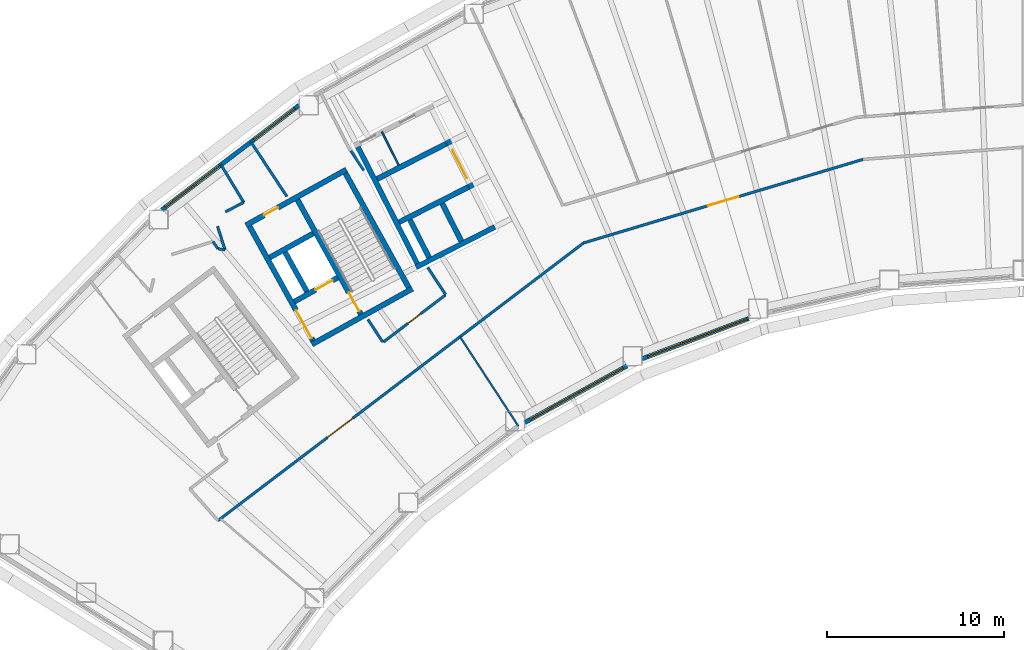
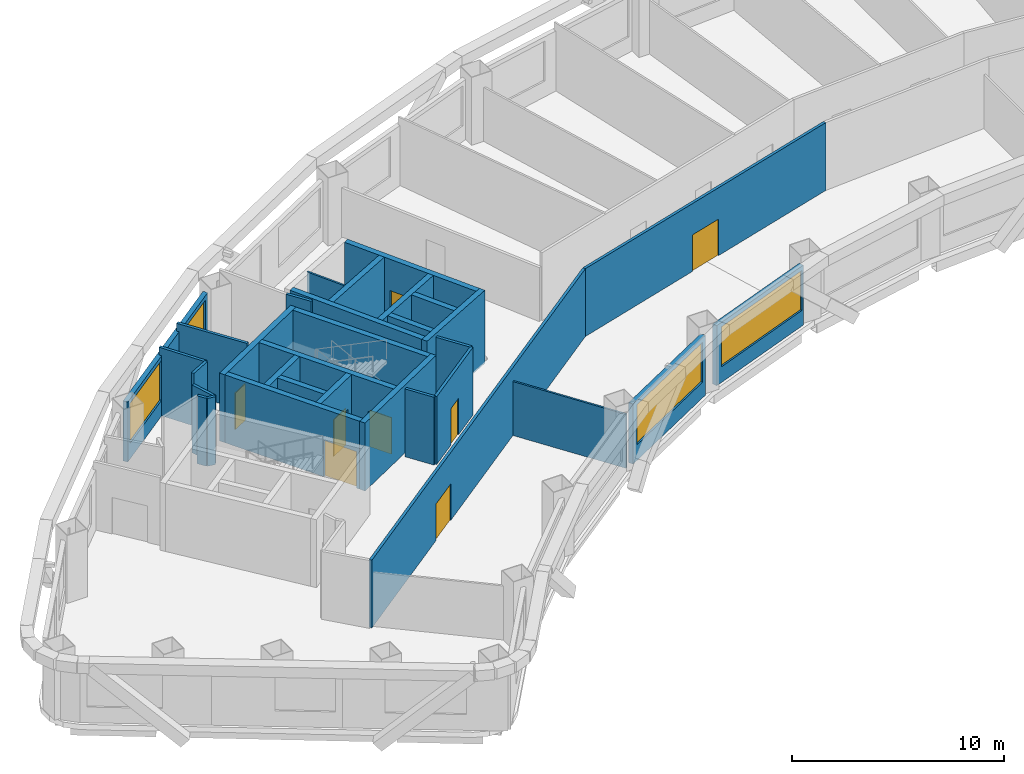
# One storey, part 4 of 16: 32 walls, 8 doors, 4 windows, 12 openings.
"""IFC4 building model written with IfcOpenShell, lengths in metres."""

from ifc_helpers import new_model, si_unit, direction, frame, frame_2d, origin, place, context, subcontext, project, spatial, rectangle, extrude, material, layer, layer_set, type_object, element, fill, save


model = new_model("IFC4")

# Units and contexts
model_context = context("Model", 3, precision=1e-05, world=origin(), true_north=direction((0.0, 1.0)))
body_context = subcontext(model_context, "Body", "Model", "MODEL_VIEW")
ifc_project = project(units=[si_unit("LENGTHUNIT", "METRE"), si_unit("AREAUNIT", "SQUARE_METRE"), si_unit("VOLUMEUNIT", "CUBIC_METRE"), si_unit("PLANEANGLEUNIT", "RADIAN"), si_unit("MASSUNIT", "GRAM", prefix="KILO")], contexts=[model_context])

# Site, building, storey
site_placement = place(None, origin())
site = spatial("IfcSite", under=ifc_project, at=site_placement, CompositionType="ELEMENT")
building_placement = place(site_placement, origin())
building = spatial("IfcBuilding", under=site, at=building_placement, Name="Tuul Gate Civic Tower", CompositionType="ELEMENT")
storey_placement = place(building_placement, frame((0.0, 0.0, 124.5)))
storey = spatial("IfcBuildingStorey", under=building, at=storey_placement, Name="Level 28", CompositionType="ELEMENT", Elevation=124.5)

# Wall
ifc_material_1 = material(Name="Concrete C50/60", Category="concrete")
ifc_layer_1 = layer(ifc_material_1, 0.300048828125)
ifc_layer_set_1 = layer_set([ifc_layer_1], Name="Concrete C50/60")
wall_type_1 = type_object("IfcWallType", Name="Core wall C50/60", PredefinedType="SHEAR", material=ifc_layer_set_1)
wall_1_placement = place(storey_placement, frame((-24.711669921875, -8.7158203125, 0.0), z_axis=(0.0, 0.0, 1.0), x_axis=(-0.874629909008, -0.484791215132, 0.0)))
element("IfcWall", 1, at=wall_1_placement, inside=storey, type_object=wall_type_1, Name="Core wall", PredefinedType="SHEAR", context=body_context, shape_type="SweptSolid", body=[
    extrude(rectangle(XDim=6.5, YDim=0.300048828125, at=frame_2d((3.25, 0.0))), origin(), (0.0, 0.0, 1.0), 3.89990234375),
])

# Wall, opening, door
wall_2_placement = place(storey_placement, frame((-28.94580078125, -8.090087890625, 0.0), z_axis=(0.0, 0.0, 1.0), x_axis=(-0.874629840737, -0.484791338301, 0.0)))
wall_2 = element("IfcWall", 2, at=wall_2_placement, inside=storey, type_object=wall_type_1, Name="Core wall", PredefinedType="SHEAR", context=body_context, shape_type="SweptSolid", body=[
    extrude(rectangle(XDim=2.800048828125, YDim=0.300048828125, at=frame_2d((1.39990234375, 0.0))), origin(), (0.0, 0.0, 1.0), 3.89990234375),
])
opening_1_placement = place(wall_2_placement, frame((0.324951171875, 0.0, 0.0)))
opening_1 = element("IfcOpeningElement", 3, at=opening_1_placement, cuts=wall_2, Name="Opening LD-FF-1", PredefinedType="OPENING", context=body_context, shape_type="SweptSolid", body=[
    extrude(rectangle(XDim=1.10009765625, YDim=2.10009765625, at=frame_2d((0.550048828125, 1.050048828125))), frame((0.0, 0.16015625, 0.0), z_axis=(0.0, -1.0, 0.0), x_axis=(1.0, 0.0, 0.0)), (0.0, 0.0, 1.0), 0.320068359375),
])
ifc_material_2 = material(Name="Stainless steel", Category="steel")
door_type_1 = type_object("IfcDoorType", Name="Landing door", OperationType="DOUBLE_DOOR_SLIDING", PredefinedType="DOOR", material=ifc_material_2)
door_1_placement = place(opening_1_placement, origin())
door_1 = element("IfcDoor", 4, at=door_1_placement, inside=storey, type_object=door_type_1, Name="Fire-fighting lift FF-1 landing door", OperationType="DOUBLE_DOOR_SLIDING", OverallHeight=2.10009765625, OverallWidth=1.10009765625, PredefinedType="DOOR", context=body_context, shape_type="SweptSolid", body=[
    extrude(rectangle(XDim=1.10009765625, YDim=2.10009765625, at=frame_2d((0.550048828125, 1.050048828125))), frame((0.0, 0.02490234375, 0.0), z_axis=(0.0, -1.0, 0.0), x_axis=(1.0, 0.0, 0.0)), (0.0, 0.0, 1.0), 0.050048828125),
])
fill(opening_1, door_1)

# Wall
wall_3_placement = place(storey_placement, frame((-30.327392578125, -5.59716796875, 0.0), z_axis=(0.0, 0.0, 1.0), x_axis=(-0.874629840737, -0.484791338301, 0.0)))
element("IfcWall", 5, at=wall_3_placement, inside=storey, type_object=wall_type_1, Name="Core wall", PredefinedType="SHEAR", context=body_context, shape_type="SweptSolid", body=[
    extrude(rectangle(XDim=2.800048828125, YDim=0.300048828125, at=frame_2d((1.39990234375, 0.0))), origin(), (0.0, 0.0, 1.0), 3.89990234375),
])

# Wall, opening, door
wall_4_placement = place(storey_placement, frame((-28.4443359375, -1.98095703125, 0.0), z_axis=(0.0, 0.0, 1.0), x_axis=(-0.874629909008, -0.484791215132, 0.0)))
wall_4 = element("IfcWall", 6, at=wall_4_placement, inside=storey, type_object=wall_type_1, Name="Core wall", PredefinedType="SHEAR", context=body_context, shape_type="SweptSolid", body=[
    extrude(rectangle(XDim=6.5, YDim=0.300048828125, at=frame_2d((3.25, 0.0))), origin(), (0.0, 0.0, 1.0), 3.89990234375),
])
opening_2_placement = place(wall_4_placement, frame((4.425048828125, 0.0, 0.0)))
opening_2 = element("IfcOpeningElement", 7, at=opening_2_placement, cuts=wall_4, Name="Opening I-D27", PredefinedType="OPENING", context=body_context, shape_type="SweptSolid", body=[
    extrude(rectangle(XDim=0.89990234375, YDim=2.10009765625, at=frame_2d((0.449951171875, 1.050048828125))), frame((0.0, 0.16015625, 0.0), z_axis=(0.0, -1.0, 0.0), x_axis=(1.0, 0.0, 0.0)), (0.0, 0.0, 1.0), 0.320068359375),
])
ifc_material_3 = material(Name="Timber door leaf", Category="wood")
door_type_2 = type_object("IfcDoorType", Name="Door D09", OperationType="NOTDEFINED", PredefinedType="DOOR", material=ifc_material_3)
door_2_placement = place(opening_2_placement, origin())
door_2 = element("IfcDoor", 8, at=door_2_placement, inside=storey, type_object=door_type_2, Name="Door I-D27", OperationType="SINGLE_SWING_LEFT", OverallHeight=2.10009765625, OverallWidth=0.89990234375, PredefinedType="DOOR", context=body_context, shape_type="SweptSolid", body=[
    extrude(rectangle(XDim=0.89990234375, YDim=2.10009765625, at=frame_2d((0.449951171875, 1.050048828125))), frame((0.0, 0.02490234375, 0.0), z_axis=(0.0, -1.0, 0.0), x_axis=(1.0, 0.0, 0.0)), (0.0, 0.0, 1.0), 0.050048828125),
])
fill(opening_2, door_2)

# Wall
wall_5_placement = place(storey_placement, frame((-24.91552734375, -8.6572265625, 0.0), z_axis=(0.0, 0.0, 1.0), x_axis=(-0.484777133038, 0.874637714304, 0.0)))
element("IfcWall", 9, at=wall_5_placement, inside=storey, type_object=wall_type_1, Name="Core wall", PredefinedType="SHEAR", context=body_context, shape_type="SweptSolid", body=[
    extrude(rectangle(XDim=7.400146484375, YDim=0.300048828125, at=frame_2d((3.7001953125, 0.0))), origin(), (0.0, 0.0, 1.0), 3.89990234375),
])

# Wall, opening, door
wall_6_placement = place(storey_placement, frame((-27.626953125, -10.16015625, 0.0), z_axis=(0.0, 0.0, 1.0), x_axis=(-0.484751894226, 0.874651702704, 0.0)))
wall_6 = element("IfcWall", 10, at=wall_6_placement, inside=storey, type_object=wall_type_1, Name="Core wall", PredefinedType="SHEAR", context=body_context, shape_type="SweptSolid", body=[
    extrude(rectangle(XDim=7.39990234375, YDim=0.300048828125, at=frame_2d((3.699951171875, 0.0))), origin(), (0.0, 0.0, 1.0), 3.89990234375),
])
opening_3_placement = place(wall_6_placement, frame((0.199951171875, 0.0, 0.0)))
opening_3 = element("IfcOpeningElement", 11, at=opening_3_placement, cuts=wall_6, Name="Opening SD-ST-2", PredefinedType="OPENING", context=body_context, shape_type="SweptSolid", body=[
    extrude(rectangle(XDim=1.199951171875, YDim=2.10009765625, at=frame_2d((0.60009765625, 1.050048828125))), frame((0.0, 0.16015625, 0.0), z_axis=(0.0, -1.0, 0.0), x_axis=(1.0, 0.0, 0.0)), (0.0, 0.0, 1.0), 0.320068359375),
])
ifc_material_4 = material(Name="Steel", Category="steel")
door_type_3 = type_object("IfcDoorType", Name="Stair door", OperationType="NOTDEFINED", PredefinedType="DOOR", material=ifc_material_4)
door_3_placement = place(opening_3_placement, origin())
door_3 = element("IfcDoor", 12, at=door_3_placement, inside=storey, type_object=door_type_3, Name="Stair door ST-2", OperationType="SINGLE_SWING_LEFT", OverallHeight=2.10009765625, OverallWidth=1.199951171875, PredefinedType="DOOR", context=body_context, shape_type="SweptSolid", body=[
    extrude(rectangle(XDim=1.199951171875, YDim=2.10009765625, at=frame_2d((0.60009765625, 1.050048828125))), frame((0.0, 0.02490234375, 0.0), z_axis=(0.0, -1.0, 0.0), x_axis=(1.0, 0.0, 0.0)), (0.0, 0.0, 1.0), 0.050048828125),
])
fill(opening_3, door_3)

# Wall
wall_7_placement = place(storey_placement, frame((-30.680419921875, -8.8798828125, 0.0), z_axis=(0.0, 0.0, 1.0), x_axis=(-0.484724115216, 0.874667097888, 0.0)))
element("IfcWall", 13, at=wall_7_placement, inside=storey, type_object=wall_type_1, Name="Core wall", PredefinedType="SHEAR", context=body_context, shape_type="SweptSolid", body=[
    extrude(rectangle(XDim=2.550048828125, YDim=0.300048828125, at=frame_2d((1.27490234375, 0.0))), origin(), (0.0, 0.0, 1.0), 3.89990234375),
])

# Wall, opening, door
wall_8_placement = place(storey_placement, frame((-30.33837890625, -11.6630859375, 0.0), z_axis=(0.0, 0.0, 1.0), x_axis=(-0.484751894226, 0.874651702704, 0.0)))
wall_8 = element("IfcWall", 14, at=wall_8_placement, inside=storey, type_object=wall_type_1, Name="Core wall", PredefinedType="SHEAR", context=body_context, shape_type="SweptSolid", body=[
    extrude(rectangle(XDim=7.39990234375, YDim=0.300048828125, at=frame_2d((3.699951171875, 0.0))), origin(), (0.0, 0.0, 1.0), 3.89990234375),
])
opening_4_placement = place(wall_8_placement, frame((0.175048828125, 0.0, 0.0)))
opening_4 = element("IfcOpeningElement", 15, at=opening_4_placement, cuts=wall_8, Name="Opening LB-W2-FLOBBY-1", PredefinedType="OPENING", context=body_context, shape_type="SweptSolid", body=[
    extrude(rectangle(XDim=1.800048828125, YDim=2.10009765625, at=frame_2d((0.89990234375, 1.050048828125))), frame((0.0, 0.16015625, 0.0), z_axis=(0.0, -1.0, 0.0), x_axis=(1.0, 0.0, 0.0)), (0.0, 0.0, 1.0), 0.320068359375),
])
ifc_material_5 = material(Name="Steel", Category="steel")
door_type_4 = type_object("IfcDoorType", Name="Lobby door", OperationType="DOUBLE_DOOR_SINGLE_SWING", PredefinedType="DOOR", material=ifc_material_5)
door_4_placement = place(opening_4_placement, frame((1.800048828125, 0.0, 0.0), z_axis=(0.0, 0.0, 1.0), x_axis=(-1.0, 0.0, 0.0)))
door_4 = element("IfcDoor", 16, at=door_4_placement, inside=storey, type_object=door_type_4, Name="Lobby door W2-FLOBBY", OperationType="DOUBLE_DOOR_SINGLE_SWING", OverallHeight=2.10009765625, OverallWidth=1.800048828125, PredefinedType="DOOR", context=body_context, shape_type="SweptSolid", body=[
    extrude(rectangle(XDim=1.800048828125, YDim=2.10009765625, at=frame_2d((0.900146484375, 1.050048828125))), frame((0.0, 0.02490234375, 0.0), z_axis=(0.0, -1.0, 0.0), x_axis=(1.0, 0.0, 0.0)), (0.0, 0.0, 1.0), 0.050048828125),
])
fill(opening_4, door_4)

ifc_material_6 = material(Name="Gypsum board partition")
ifc_layer_2 = layer(ifc_material_6, 0.14990234375)
ifc_layer_set_2 = layer_set([ifc_layer_2], Name="Gypsum board partition")
wall_type_2 = type_object("IfcWallType", Name="Corridor wall P150", PredefinedType="PARTITIONING", material=ifc_layer_set_2)
wall_9_placement = place(storey_placement, frame((-26.359130859375, -11.739501953125, 0.0), z_axis=(0.0, 0.0, 1.0), x_axis=(0.796687595672, 0.604391325966, 0.0)))
wall_9 = element("IfcWall", 17, at=wall_9_placement, inside=storey, type_object=wall_type_2, Name="p072", PredefinedType="PARTITIONING", context=body_context, shape_type="SweptSolid", body=[
    extrude(rectangle(XDim=4.411865234375, YDim=0.14990234375, at=frame_2d((2.2060546875, 0.0))), origin(), (0.0, 0.0, 1.0), 3.89990234375),
])
opening_5_placement = place(wall_9_placement, frame((1.755859375, 0.0, 0.0)))
opening_5 = element("IfcOpeningElement", 18, at=opening_5_placement, cuts=wall_9, Name="Opening I-D171", PredefinedType="OPENING", context=body_context, shape_type="SweptSolid", body=[
    extrude(rectangle(XDim=0.89990234375, YDim=2.10009765625, at=frame_2d((0.449951171875, 1.050048828125))), frame((0.0, 0.0849609375, 0.0), z_axis=(0.0, -1.0, 0.0), x_axis=(1.0, 0.0, 0.0)), (0.0, 0.0, 1.0), 0.169921875),
])
door_5_placement = place(opening_5_placement, origin())
door_5 = element("IfcDoor", 19, at=door_5_placement, inside=storey, type_object=door_type_2, Name="Door I-D17", OperationType="SINGLE_SWING_RIGHT", OverallHeight=2.10009765625, OverallWidth=0.89990234375, PredefinedType="DOOR", context=body_context, shape_type="SweptSolid", body=[
    extrude(rectangle(XDim=0.89990234375, YDim=2.10009765625, at=frame_2d((0.449951171875, 1.050048828125))), frame((0.0, 0.02490234375, 0.0), z_axis=(0.0, -1.0, 0.0), x_axis=(1.0, 0.0, 0.0)), (0.0, 0.0, 1.0), 0.050048828125),
])
fill(opening_5, door_5)

# Walls
wall_10_placement = place(storey_placement, frame((-28.18798828125, -0.926513671875, 0.0), z_axis=(0.0, 0.0, 1.0), x_axis=(0.550216785821, -0.835021849176, 0.0)))
element("IfcWall", 20, at=wall_10_placement, inside=storey, type_object=wall_type_2, Name="p075", PredefinedType="PARTITIONING", context=body_context, shape_type="SweptSolid", body=[
    extrude(rectangle(XDim=1.32177734375, YDim=0.14990234375, at=frame_2d((0.660888671875, 0.0))), origin(), (0.0, 0.0, 1.0), 3.89990234375),
])
wall_11_placement = place(storey_placement, frame((-23.852294921875, -7.5078125, 0.0), z_axis=(0.0, 0.0, 1.0), x_axis=(0.550162045349, -0.835057916469, 0.0)))
element("IfcWall", 21, at=wall_11_placement, inside=storey, type_object=wall_type_2, Name="p076", PredefinedType="PARTITIONING", context=body_context, shape_type="SweptSolid", body=[
    extrude(rectangle(XDim=1.8408203125, YDim=0.14990234375, at=frame_2d((0.92041015625, 0.0))), origin(), (0.0, 0.0, 1.0), 3.89990234375),
])
wall_12_placement = place(storey_placement, frame((-33.846923828125, -0.413818359375, 0.0), z_axis=(0.0, 0.0, 1.0), x_axis=(0.550184759277, -0.835042951386, 0.0)))
element("IfcWall", 22, at=wall_12_placement, inside=storey, type_object=wall_type_2, Name="p077", PredefinedType="PARTITIONING", context=body_context, shape_type="SweptSolid", body=[
    extrude(rectangle(XDim=3.699951171875, YDim=0.14990234375, at=frame_2d((1.85009765625, 0.0))), origin(), (0.0, 0.0, 1.0), 3.89990234375),
])
wall_13_placement = place(storey_placement, frame((-27.23095703125, -10.4560546875, 0.0), z_axis=(0.0, 0.0, 1.0), x_axis=(0.550090960026, -0.835104745345, 0.0)))
element("IfcWall", 23, at=wall_13_placement, inside=storey, type_object=wall_type_2, Name="p078", PredefinedType="PARTITIONING", context=body_context, shape_type="SweptSolid", body=[
    extrude(rectangle(XDim=1.53076171875, YDim=0.14990234375, at=frame_2d((0.765380859375, 0.0))), origin(), (0.0, 0.0, 1.0), 3.89990234375),
])
wall_14_placement = place(storey_placement, frame((-35.5419921875, -1.704345703125, 0.0), z_axis=(0.0, 0.0, 1.0), x_axis=(0.518008431011, -0.855375511341, 0.0)))
element("IfcWall", 24, at=wall_14_placement, inside=storey, type_object=wall_type_2, Name="p079", PredefinedType="PARTITIONING", context=body_context, shape_type="SweptSolid", body=[
    extrude(rectangle(XDim=2.490966796875, YDim=0.14990234375, at=frame_2d((1.24560546875, 0.0))), origin(), (0.0, 0.0, 1.0), 3.89990234375),
])
wall_15_placement = place(storey_placement, frame((-35.2919921875, -4.3662109375, 0.0), z_axis=(0.0, 0.0, 1.0), x_axis=(0.890590855166, 0.454805374523, 0.0)))
element("IfcWall", 25, at=wall_15_placement, inside=storey, type_object=wall_type_2, Name="p080", PredefinedType="PARTITIONING", context=body_context, shape_type="SweptSolid", body=[
    extrude(rectangle(XDim=1.16796875, YDim=0.14990234375, at=frame_2d((0.583984375, 0.0))), origin(), (0.0, 0.0, 1.0), 3.89990234375),
])
wall_16_placement = place(storey_placement, frame((-35.73681640625, -5.18359375, 0.0), z_axis=(0.0, 0.0, 1.0), x_axis=(0.303369361371, -0.952873040117, 0.0)))
element("IfcWall", 26, at=wall_16_placement, inside=storey, type_object=wall_type_2, Name="p081", PredefinedType="PARTITIONING", context=body_context, shape_type="SweptSolid", body=[
    extrude(rectangle(XDim=1.398681640625, YDim=0.14990234375, at=frame_2d((0.69921875, 0.0))), origin(), (0.0, 0.0, 1.0), 3.89990234375),
])
wall_17_placement = place(storey_placement, frame((-35.71533203125, -6.458740234375, 0.0), z_axis=(0.0, 0.0, 1.0), x_axis=(0.989925481215, -0.141589341556, 0.0)))
element("IfcWall", 27, at=wall_17_placement, inside=storey, type_object=wall_type_2, Name="p082", PredefinedType="PARTITIONING", context=body_context, shape_type="SweptSolid", body=[
    extrude(rectangle(XDim=0.406982421875, YDim=0.14990234375, at=frame_2d((0.20361328125, 0.0))), origin(), (0.0, 0.0, 1.0), 3.89990234375),
])
wall_18_placement = place(storey_placement, frame((-35.99560546875, -6.04638671875, 0.0), z_axis=(0.0, 0.0, 1.0), x_axis=(0.562135893779, -0.82704488205, 0.0)))
element("IfcWall", 28, at=wall_18_placement, inside=storey, type_object=wall_type_2, Name="p083", PredefinedType="PARTITIONING", context=body_context, shape_type="SweptSolid", body=[
    extrude(rectangle(XDim=0.49853515625, YDim=0.14990234375, at=frame_2d((0.249267578125, 0.0))), origin(), (0.0, 0.0, 1.0), 3.89990234375),
])

# Wall, opening, door
wall_19_placement = place(storey_placement, frame((-35.70654296875, -21.834228515625, 0.0), z_axis=(0.0, 0.0, 1.0), x_axis=(0.796321430209, 0.604873689121, 0.0)))
wall_19 = element("IfcWall", 29, at=wall_19_placement, inside=storey, type_object=wall_type_2, Name="p092", PredefinedType="PARTITIONING", context=body_context, shape_type="SweptSolid", body=[
    extrude(rectangle(XDim=25.965087890625, YDim=0.14990234375, at=frame_2d((12.982421875, 0.0))), origin(), (0.0, 0.0, 1.0), 3.89990234375),
])
opening_6_placement = place(wall_19_placement, frame((7.780029296875, 0.0, 0.0)))
opening_6 = element("IfcOpeningElement", 30, at=opening_6_placement, cuts=wall_19, Name="Opening I-D231", PredefinedType="OPENING", context=body_context, shape_type="SweptSolid", body=[
    extrude(rectangle(XDim=1.800048828125, YDim=2.10009765625, at=frame_2d((0.89990234375, 1.050048828125))), frame((0.0, 0.0849609375, 0.0), z_axis=(0.0, -1.0, 0.0), x_axis=(1.0, 0.0, 0.0)), (0.0, 0.0, 1.0), 0.169921875),
])
ifc_material_7 = material(Name="Timber door leaf, double", Category="wood")
door_type_5 = type_object("IfcDoorType", Name="Door D18", OperationType="DOUBLE_DOOR_SINGLE_SWING", PredefinedType="DOOR", material=ifc_material_7)
door_6_placement = place(opening_6_placement, frame((1.800048828125, 0.0, 0.0), z_axis=(0.0, 0.0, 1.0), x_axis=(-1.0, 0.0, 0.0)))
door_6 = element("IfcDoor", 31, at=door_6_placement, inside=storey, type_object=door_type_5, Name="Door I-D23", OperationType="DOUBLE_DOOR_SINGLE_SWING", OverallHeight=2.10009765625, OverallWidth=1.800048828125, PredefinedType="DOOR", context=body_context, shape_type="SweptSolid", body=[
    extrude(rectangle(XDim=1.800048828125, YDim=2.10009765625, at=frame_2d((0.900146484375, 1.050048828125))), frame((0.0, 0.02490234375, 0.0), z_axis=(0.0, -1.0, 0.0), x_axis=(1.0, 0.0, 0.0)), (0.0, 0.0, 1.0), 0.050048828125),
])
fill(opening_6, door_6)

wall_20_placement = place(storey_placement, frame((-15.030029296875, -6.128662109375, 0.0), z_axis=(0.0, 0.0, 1.0), x_axis=(0.958087744717, 0.286474908889, 0.0)))
wall_20 = element("IfcWall", 32, at=wall_20_placement, inside=storey, type_object=wall_type_2, Name="p100", PredefinedType="PARTITIONING", context=body_context, shape_type="SweptSolid", body=[
    extrude(rectangle(XDim=16.5, YDim=0.14990234375, at=frame_2d((8.25, 0.0))), origin(), (0.0, 0.0, 1.0), 3.89990234375),
])
opening_7_placement = place(wall_20_placement, frame((7.349853515625, 0.0, 0.0)))
opening_7 = element("IfcOpeningElement", 33, at=opening_7_placement, cuts=wall_20, Name="Opening I-D22", PredefinedType="OPENING", context=body_context, shape_type="SweptSolid", body=[
    extrude(rectangle(XDim=1.800048828125, YDim=2.10009765625, at=frame_2d((0.89990234375, 1.050048828125))), frame((0.0, 0.0849609375, 0.0), z_axis=(0.0, -1.0, 0.0), x_axis=(1.0, 0.0, 0.0)), (0.0, 0.0, 1.0), 0.169921875),
])
door_7_placement = place(opening_7_placement, frame((1.800048828125, 0.0, 0.0), z_axis=(0.0, 0.0, 1.0), x_axis=(-1.0, 0.0, 0.0)))
door_7 = element("IfcDoor", 34, at=door_7_placement, inside=storey, type_object=door_type_5, Name="Door I-D22", OperationType="DOUBLE_DOOR_SINGLE_SWING", OverallHeight=2.10009765625, OverallWidth=1.800048828125, PredefinedType="DOOR", context=body_context, shape_type="SweptSolid", body=[
    extrude(rectangle(XDim=1.800048828125, YDim=2.10009765625, at=frame_2d((0.900146484375, 1.050048828125))), frame((0.0, 0.02490234375, 0.0), z_axis=(0.0, -1.0, 0.0), x_axis=(1.0, 0.0, 0.0)), (0.0, 0.0, 1.0), 0.050048828125),
])
fill(opening_7, door_7)

# Wall, openings, windows
ifc_material_8 = material(Name="Precast concrete C40/50", Category="concrete")
ifc_layer_3 = layer(ifc_material_8, 0.25)
ifc_layer_set_3 = layer_set([ifc_layer_3], Name="Precast concrete C40/50")
wall_type_3 = type_object("IfcWallType", Name="External wall", PredefinedType="STANDARD", material=ifc_layer_set_3)
wall_21_placement = place(storey_placement, frame((-31.1240234375, 1.6533203125, 0.0), z_axis=(0.0, 0.0, 1.0), x_axis=(-0.795622492649, -0.605792744419, 0.0)))
wall_21 = element("IfcWall", 35, at=wall_21_placement, inside=storey, type_object=wall_type_3, Name="External wall", PredefinedType="STANDARD", context=body_context, shape_type="SweptSolid", body=[
    extrude(rectangle(XDim=9.751220703125, YDim=0.25, at=frame_2d((4.87548828125, 0.0))), origin(), (0.0, 0.0, 1.0), 3.449951171875),
])
opening_8_placement = place(wall_21_placement, frame((5.65478515625, 0.0, 0.89990234375)))
opening_8 = element("IfcOpeningElement", 36, at=opening_8_placement, cuts=wall_21, Name="Opening W22", PredefinedType="OPENING", context=body_context, shape_type="SweptSolid", body=[
    extrude(rectangle(XDim=3.85009765625, YDim=2.300048828125, at=frame_2d((1.925048828125, 1.14990234375))), frame((0.0, 0.135009765625, 0.0), z_axis=(0.0, -1.0, 0.0), x_axis=(1.0, 0.0, 0.0)), (0.0, 0.0, 1.0), 0.27001953125),
])
opening_9_placement = place(wall_21_placement, frame((0.30126953125, 0.0, 0.89990234375)))
opening_9 = element("IfcOpeningElement", 37, at=opening_9_placement, cuts=wall_21, Name="Opening W39", PredefinedType="OPENING", context=body_context, shape_type="SweptSolid", body=[
    extrude(rectangle(XDim=2.89990234375, YDim=2.300048828125, at=frame_2d((1.449951171875, 1.14990234375))), frame((0.0, 0.135009765625, 0.0), z_axis=(0.0, -1.0, 0.0), x_axis=(1.0, 0.0, 0.0)), (0.0, 0.0, 1.0), 0.27001953125),
])
ifc_material_9 = material(Name="Glass", Category="glass")
window_type_1 = type_object("IfcWindowType", Name="Window 2900 x 2300", PartitioningType="SINGLE_PANEL", PredefinedType="WINDOW", material=ifc_material_9)
window_1_placement = place(opening_9_placement, origin())
window_1 = element("IfcWindow", 38, at=window_1_placement, inside=storey, type_object=window_type_1, Name="Window", OverallHeight=2.300048828125, OverallWidth=2.89990234375, PartitioningType="SINGLE_PANEL", PredefinedType="WINDOW", context=body_context, shape_type="SweptSolid", body=[
    extrude(rectangle(XDim=2.89990234375, YDim=2.300048828125, at=frame_2d((1.449951171875, 1.14990234375))), frame((0.0, 0.030029296875, 0.0), z_axis=(0.0, -1.0, 0.0), x_axis=(1.0, 0.0, 0.0)), (0.0, 0.0, 1.0), 0.06005859375),
])
fill(opening_9, window_1)
ifc_material_10 = material(Name="Glass", Category="glass")
window_type_2 = type_object("IfcWindowType", Name="Window W22 3850 x 2300", PartitioningType="SINGLE_PANEL", PredefinedType="WINDOW", material=ifc_material_10)
window_2_placement = place(opening_8_placement, origin())
window_2 = element("IfcWindow", 39, at=window_2_placement, inside=storey, type_object=window_type_2, Name="Window", OverallHeight=2.300048828125, OverallWidth=3.85009765625, PartitioningType="SINGLE_PANEL", PredefinedType="WINDOW", context=body_context, shape_type="SweptSolid", body=[
    extrude(rectangle(XDim=3.85009765625, YDim=2.300048828125, at=frame_2d((1.925048828125, 1.14990234375))), frame((0.0, 0.030029296875, 0.0), z_axis=(0.0, -1.0, 0.0), x_axis=(1.0, 0.0, 0.0)), (0.0, 0.0, 1.0), 0.06005859375),
])
fill(opening_8, window_2)

# Wall, opening, window
wall_22_placement = place(storey_placement, frame((-18.347900390625, -16.2841796875, 0.0), z_axis=(0.0, 0.0, 1.0), x_axis=(0.874603961928, 0.484838024272, 0.0)))
wall_22 = element("IfcWall", 40, at=wall_22_placement, inside=storey, type_object=wall_type_3, Name="External wall", PredefinedType="STANDARD", context=body_context, shape_type="SweptSolid", body=[
    extrude(rectangle(XDim=6.594482421875, YDim=0.25, at=frame_2d((3.29736328125, 0.0))), origin(), (0.0, 0.0, 1.0), 3.449951171875),
])
opening_10_placement = place(wall_22_placement, frame((0.34765625, 0.0, 0.89990234375)))
opening_10 = element("IfcOpeningElement", 41, at=opening_10_placement, cuts=wall_22, Name="Opening W26", PredefinedType="OPENING", context=body_context, shape_type="SweptSolid", body=[
    extrude(rectangle(XDim=6.0, YDim=2.300048828125, at=frame_2d((3.0, 1.14990234375))), frame((0.0, 0.135009765625, 0.0), z_axis=(0.0, -1.0, 0.0), x_axis=(1.0, 0.0, 0.0)), (0.0, 0.0, 1.0), 0.27001953125),
])
ifc_material_11 = material(Name="Glass", Category="glass")
window_type_3 = type_object("IfcWindowType", Name="Window W26 6000 x 2300", PartitioningType="SINGLE_PANEL", PredefinedType="WINDOW", material=ifc_material_11)
window_3_placement = place(opening_10_placement, origin())
window_3 = element("IfcWindow", 42, at=window_3_placement, inside=storey, type_object=window_type_3, Name="Window", OverallHeight=2.300048828125, OverallWidth=6.0, PartitioningType="SINGLE_PANEL", PredefinedType="WINDOW", context=body_context, shape_type="SweptSolid", body=[
    extrude(rectangle(XDim=6.0, YDim=2.300048828125, at=frame_2d((3.0, 1.14990234375))), frame((0.0, 0.030029296875, 0.0), z_axis=(0.0, -1.0, 0.0), x_axis=(1.0, 0.0, 0.0)), (0.0, 0.0, 1.0), 0.06005859375),
])
fill(opening_10, window_3)

wall_23_placement = place(storey_placement, frame((-11.7080078125, -12.67626953125, 0.0), z_axis=(0.0, 0.0, 1.0), x_axis=(0.935366053459, 0.353681136106, 0.0)))
wall_23 = element("IfcWall", 43, at=wall_23_placement, inside=storey, type_object=wall_type_3, Name="External wall", PredefinedType="STANDARD", context=body_context, shape_type="SweptSolid", body=[
    extrude(rectangle(XDim=6.429931640625, YDim=0.25, at=frame_2d((3.21484375, 0.0))), origin(), (0.0, 0.0, 1.0), 3.449951171875),
])
opening_11_placement = place(wall_23_placement, frame((0.3310546875, 0.0, 0.89990234375)))
opening_11 = element("IfcOpeningElement", 44, at=opening_11_placement, cuts=wall_23, Name="Opening W26", PredefinedType="OPENING", context=body_context, shape_type="SweptSolid", body=[
    extrude(rectangle(XDim=6.0, YDim=2.300048828125, at=frame_2d((3.0, 1.14990234375))), frame((0.0, 0.135009765625, 0.0), z_axis=(0.0, -1.0, 0.0), x_axis=(1.0, 0.0, 0.0)), (0.0, 0.0, 1.0), 0.27001953125),
])
window_4_placement = place(opening_11_placement, origin())
window_4 = element("IfcWindow", 45, at=window_4_placement, inside=storey, type_object=window_type_3, Name="Window", OverallHeight=2.300048828125, OverallWidth=6.0, PartitioningType="SINGLE_PANEL", PredefinedType="WINDOW", context=body_context, shape_type="SweptSolid", body=[
    extrude(rectangle(XDim=6.0, YDim=2.300048828125, at=frame_2d((3.0, 1.14990234375))), frame((0.0, 0.030029296875, 0.0), z_axis=(0.0, -1.0, 0.0), x_axis=(1.0, 0.0, 0.0)), (0.0, 0.0, 1.0), 0.06005859375),
])
fill(opening_11, window_4)

# Walls
ifc_material_12 = material(Name="Concrete C40/50", Category="concrete")
ifc_layer_4 = layer(ifc_material_12, 0.300048828125)
ifc_layer_set_4 = layer_set([ifc_layer_4], Name="Concrete C40/50")
wall_type_4 = type_object("IfcWallType", Name="Lift shaft wall C40/50", PredefinedType="STANDARD", material=ifc_layer_set_4)
wall_24_placement = place(storey_placement, frame((-20.049072265625, -5.232421875, -0.300048828125), z_axis=(0.0, 0.0, 1.0), x_axis=(-0.891002976909, -0.453997461601, 0.0)))
element("IfcWall", 46, at=wall_24_placement, inside=storey, type_object=wall_type_4, Name="Shaft wall", PredefinedType="STANDARD", context=body_context, shape_type="SweptSolid", body=[
    extrude(rectangle(XDim=5.0, YDim=0.300048828125, at=frame_2d((2.5, 0.0))), origin(), (0.0, 0.0, 1.0), 4.199951171875),
])
for number, where, z_axis, x_axis, name in (
    (47, (-21.542236328125, -2.962890625, -0.300048828125), (0.0, 0.0, 1.0), (-0.891005618941, -0.453992276384, 0.0), "Shaft wall"),
    (48, (-22.790771484375, -0.5126953125, -0.300048828125), (0.0, 0.0, 1.0), (-0.891005618941, -0.453992276384, 0.0), "Shaft wall"),
):
    element("IfcWall", number, at=place(storey_placement, frame(where, z_axis=z_axis, x_axis=x_axis)), inside=storey, type_object=wall_type_4, Name=name, PredefinedType="STANDARD", context=body_context, shape_type="SweptSolid", body=[
        extrude(rectangle(XDim=4.39990234375, YDim=0.300048828125, at=frame_2d((2.199951171875, 0.0))), origin(), (0.0, 0.0, 1.0), 4.199951171875),
    ])

# Wall, opening, door
wall_25_placement = place(storey_placement, frame((-20.2509765625, -5.166748046875, -0.300048828125), z_axis=(0.0, 0.0, 1.0), x_axis=(-0.45401029361, 0.89099643843, 0.0)))
wall_25 = element("IfcWall", 49, at=wall_25_placement, inside=storey, type_object=wall_type_4, Name="Shaft wall", PredefinedType="STANDARD", context=body_context, shape_type="SweptSolid", body=[
    extrude(rectangle(XDim=7.39990234375, YDim=0.300048828125, at=frame_2d((3.699951171875, 0.0))), origin(), (0.0, 0.0, 1.0), 4.199951171875),
])
opening_12_placement = place(wall_25_placement, frame((3.02490234375, 0.0, 0.300048828125)))
opening_12 = element("IfcOpeningElement", 50, at=opening_12_placement, cuts=wall_25, Name="Opening LB-W3-LOBBY-1", PredefinedType="OPENING", context=body_context, shape_type="SweptSolid", body=[
    extrude(rectangle(XDim=1.800048828125, YDim=2.10009765625, at=frame_2d((0.89990234375, 1.050048828125))), frame((0.0, 0.16015625, 0.0), z_axis=(0.0, -1.0, 0.0), x_axis=(1.0, 0.0, 0.0)), (0.0, 0.0, 1.0), 0.320068359375),
])
door_8_placement = place(opening_12_placement, origin())
door_8 = element("IfcDoor", 51, at=door_8_placement, inside=storey, type_object=door_type_4, Name="Lobby door W3-LOBBY", OperationType="DOUBLE_DOOR_SINGLE_SWING", OverallHeight=2.10009765625, OverallWidth=1.800048828125, PredefinedType="DOOR", context=body_context, shape_type="SweptSolid", body=[
    extrude(rectangle(XDim=1.800048828125, YDim=2.10009765625, at=frame_2d((0.89990234375, 1.050048828125))), frame((0.0, 0.02490234375, 0.0), z_axis=(0.0, -1.0, 0.0), x_axis=(1.0, 0.0, 0.0)), (0.0, 0.0, 1.0), 0.050048828125),
])
fill(opening_12, door_8)

# Walls
for number, where, z_axis, x_axis, name in (
    (52, (-21.94384765625, -6.029296875, -0.300048828125), (0.0, 0.0, 1.0), (-0.45403702923, 0.890982814698, 0.0), "Shaft wall"),
    (53, (-23.770263671875, -6.960205078125, -0.300048828125), (0.0, 0.0, 1.0), (-0.45399587725, 0.891003784189, 0.0), "Shaft wall"),
):
    element("IfcWall", number, at=place(storey_placement, frame(where, z_axis=z_axis, x_axis=x_axis)), inside=storey, type_object=wall_type_4, Name=name, PredefinedType="STANDARD", context=body_context, shape_type="SweptSolid", body=[
        extrude(rectangle(XDim=2.39990234375, YDim=0.300048828125, at=frame_2d((1.199951171875, 0.0))), origin(), (0.0, 0.0, 1.0), 4.199951171875),
    ])
wall_26_placement = place(storey_placement, frame((-24.438720703125, -7.300537109375, -0.300048828125), z_axis=(0.0, 0.0, 1.0), x_axis=(-0.453984101083, 0.891009784438, 0.0)))
element("IfcWall", 54, at=wall_26_placement, inside=storey, type_object=wall_type_4, Name="Shaft wall", PredefinedType="STANDARD", context=body_context, shape_type="SweptSolid", body=[
    extrude(rectangle(XDim=7.399658203125, YDim=0.300048828125, at=frame_2d((3.69970703125, 0.0))), origin(), (0.0, 0.0, 1.0), 4.199951171875),
])
ifc_material_13 = material(Name="Gypsum board partition")
ifc_layer_5 = layer(ifc_material_13, 0.10009765625)
ifc_layer_set_5 = layer_set([ifc_layer_5], Name="Gypsum board partition")
wall_type_5 = type_object("IfcWallType", Name="Partition P100", PredefinedType="PARTITIONING", material=ifc_layer_set_5)
wall_27_placement = place(storey_placement, frame((-25.4873046875, -1.71826171875, 0.0), z_axis=(0.0, 0.0, 1.0), x_axis=(-0.453990218702, 0.891006667384, 0.0)))
element("IfcWall", 55, at=wall_27_placement, inside=storey, type_object=wall_type_5, Name="bW3-BAND-0", PredefinedType="PARTITIONING", context=body_context, shape_type="SweptSolid", body=[
    extrude(rectangle(XDim=2.10009765625, YDim=0.10009765625, at=frame_2d((1.050048828125, 0.0))), origin(), (0.0, 0.0, 1.0), 3.89990234375),
])
ifc_material_14 = material(Name="Gypsum board partition")
ifc_layer_6 = layer(ifc_material_14, 0.10009765625)
ifc_layer_set_6 = layer_set([ifc_layer_6], Name="Gypsum board partition")
wall_type_6 = type_object("IfcWallType", Name="Partition P100 3100 HIGH", PredefinedType="PARTITIONING", material=ifc_layer_set_6)
wall_28_placement = place(storey_placement, frame((-22.01904296875, -11.437255859375, 0.0), z_axis=(0.0, 0.0, 1.0), x_axis=(0.546717766718, -0.837316955253, 0.0)))
element("IfcWall", 56, at=wall_28_placement, inside=storey, type_object=wall_type_6, Name="p099", PredefinedType="PARTITIONING", context=body_context, shape_type="SweptSolid", body=[
    extrude(rectangle(XDim=6.039794921875, YDim=0.10009765625, at=frame_2d((3.02001953125, 0.0))), origin(), (0.0, 0.0, 1.0), 3.10009765625),
])

save(model, "model.ifc")
